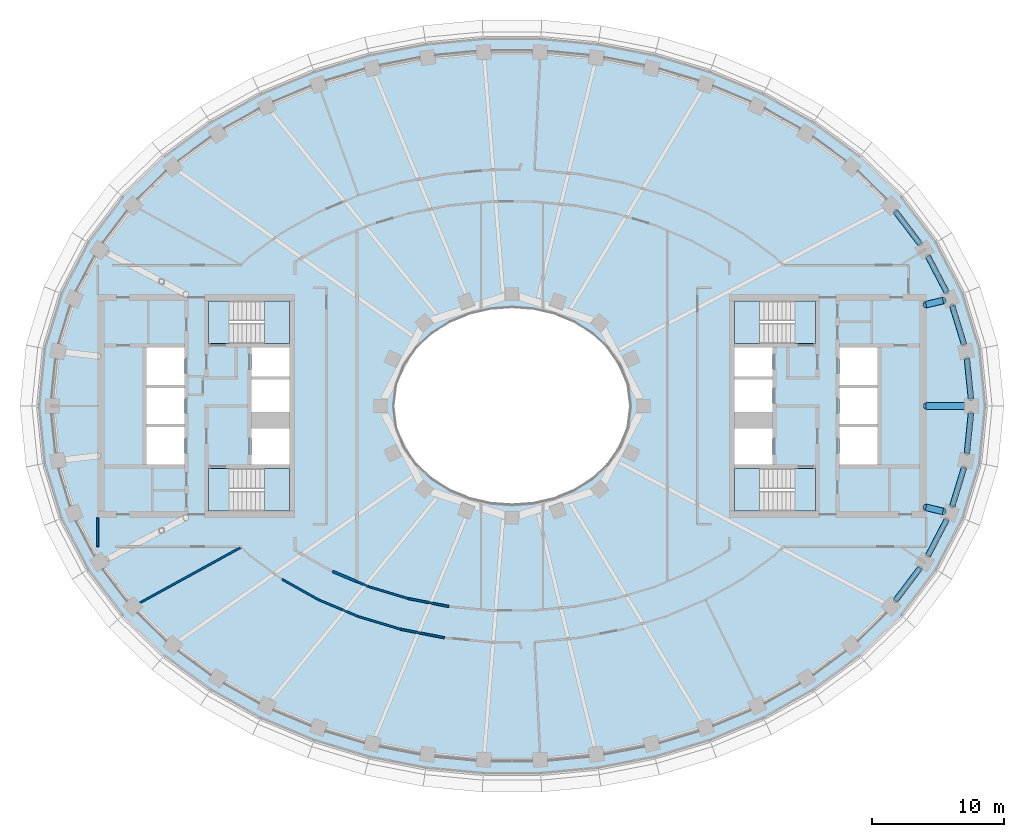
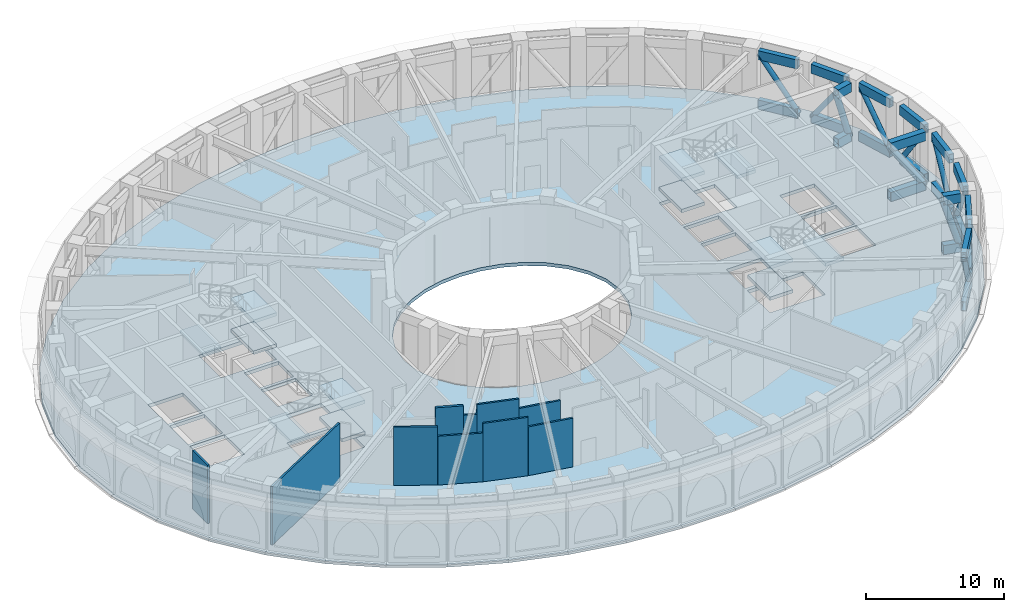
# One storey, part 5 of 25: 22 beams, 13 slabs, 11 members, 10 walls, 4 elements without a shape of their own.
"""IFC4 building model written with IfcOpenShell, lengths in metres."""

from ifc_helpers import new_model, si_unit, direction, frame, frame_2d, origin, origin_2d, place, context, subcontext, project, spatial, polyline, rectangle, hollow_rectangle, hollow_circle, outline, extrude, material, layer, layer_set, material_profile, profile_set, type_object, element, aggregate, save


model = new_model("IFC4")

# Units and contexts
model_context = context("Model", 3, precision=1e-05, world=origin(), true_north=direction((0.0, 1.0)))
body_context = subcontext(model_context, "Body", "Model", "MODEL_VIEW")
ifc_project = project(units=[si_unit("LENGTHUNIT", "METRE"), si_unit("AREAUNIT", "SQUARE_METRE"), si_unit("VOLUMEUNIT", "CUBIC_METRE"), si_unit("PLANEANGLEUNIT", "RADIAN"), si_unit("MASSUNIT", "GRAM", prefix="KILO")], contexts=[model_context])

# Site, building, storey
site_placement = place(None, origin())
site = spatial("IfcSite", under=ifc_project, at=site_placement, CompositionType="ELEMENT")
building_placement = place(site_placement, origin())
building = spatial("IfcBuilding", under=site, at=building_placement, Name="Noorbagh Ring Tower", CompositionType="ELEMENT")
storey_placement = place(building_placement, frame((0.0, 0.0, 198.0)))
storey = spatial("IfcBuildingStorey", under=building, at=storey_placement, Name="L46", CompositionType="ELEMENT", Elevation=198.0)

# Beams
ifc_material_1 = material(Name="Steel S460", Category="steel")
ifc_material_profile_1 = material_profile(ifc_material_1, hollow_rectangle(XDim=0.39990234375, YDim=0.800048828125, WallThickness=0.031982421875, at=origin_2d()), Name="BOX800x400x32")
ifc_profile_set_1 = profile_set([ifc_material_profile_1], Name="Steel S460")
beam_type_1 = type_object("IfcBeamType", Name="STR-BELT-TRUSS-CHORD-BOX800x400x32-S460", PredefinedType="BEAM", material=ifc_profile_set_1)
for number, where, z_axis, x_axis, name in (
    (1, (34.888916015625, 0.55517578125, 0.39990234375), (-0.100183960155, 0.994968931237, 0.0), (-0.994968931237, -0.100183960155, 0.0), "Belt truss chord"),
    (2, (34.888916015625, 0.55517578125, 4.75), (-0.100183960155, 0.994968931237, 0.0), (-0.994968931237, -0.100183960155, 0.0), "Belt truss chord"),
):
    element("IfcBeam", number, at=place(storey_placement, frame(where, z_axis=z_axis, x_axis=x_axis)), inside=storey, type_object=beam_type_1, Name=name, PredefinedType="BEAM", context=body_context, shape_type="SweptSolid", body=[
        extrude(hollow_rectangle(XDim=0.39990234375, YDim=0.800048828125, WallThickness=0.031982421875, at=origin_2d()), origin(), (0.0, 0.0, 1.0), 3.055908203125),
    ])
for number, where, z_axis, x_axis, name in (
    (3, (34.36376953125, 4.68408203125, 0.39990234375), (-0.2921659349, 0.956367641906, 0.0), (-0.956367641906, -0.2921659349, 0.0), "Belt truss chord"),
    (4, (34.36376953125, 4.68408203125, 4.75), (-0.2921659349, 0.956367641906, 0.0), (-0.956367641906, -0.2921659349, 0.0), "Belt truss chord"),
):
    element("IfcBeam", number, at=place(storey_placement, frame(where, z_axis=z_axis, x_axis=x_axis)), inside=storey, type_object=beam_type_1, Name=name, PredefinedType="BEAM", context=body_context, shape_type="SweptSolid", body=[
        extrude(hollow_rectangle(XDim=0.39990234375, YDim=0.800048828125, WallThickness=0.031982421875, at=origin_2d()), origin(), (0.0, 0.0, 1.0), 3.06591796875),
    ])
for number, where, z_axis, x_axis, name in (
    (5, (33.047607421875, 8.6435546875, 0.39990234375), (-0.462292608065, 0.886727435308, 0.0), (-0.886727435308, -0.462292608065, 0.0), "Belt truss chord"),
    (6, (33.047607421875, 8.6435546875, 4.75), (-0.462292608065, 0.886727435308, 0.0), (-0.886727435308, -0.462292608065, 0.0), "Belt truss chord"),
):
    element("IfcBeam", number, at=place(storey_placement, frame(where, z_axis=z_axis, x_axis=x_axis)), inside=storey, type_object=beam_type_1, Name=name, PredefinedType="BEAM", context=body_context, shape_type="SweptSolid", body=[
        extrude(hollow_rectangle(XDim=0.39990234375, YDim=0.800048828125, WallThickness=0.031982421875, at=origin_2d()), origin(), (0.0, 0.0, 1.0), 3.08251953125),
    ])
for number, where, z_axis, x_axis, name in (
    (7, (31.028564453125, 12.31494140625, 0.39990234375), (-0.604034981443, 0.796957803898, 0.0), (-0.796957803898, -0.604034981443, 0.0), "Belt truss chord"),
    (8, (31.028564453125, 12.31494140625, 4.75), (-0.604034981443, 0.796957803898, 0.0), (-0.796957803898, -0.604034981443, 0.0), "Belt truss chord"),
    (9, (29.155029296875, -14.786865234375, 0.39990234375), (0.604034981443, 0.796957803898, 0.0), (-0.796957803898, 0.604034981443, 0.0), "Belt truss chord"),
    (10, (29.155029296875, -14.786865234375, 4.75), (0.604034981443, 0.796957803898, 0.0), (-0.796957803898, 0.604034981443, 0.0), "Belt truss chord"),
):
    element("IfcBeam", number, at=place(storey_placement, frame(where, z_axis=z_axis, x_axis=x_axis)), inside=storey, type_object=beam_type_1, Name=name, PredefinedType="BEAM", context=body_context, shape_type="SweptSolid", body=[
        extrude(hollow_rectangle(XDim=0.39990234375, YDim=0.800048828125, WallThickness=0.031982421875, at=origin_2d()), origin(), (0.0, 0.0, 1.0), 3.101806640625),
    ])
for number, where, z_axis, x_axis, name in (
    (11, (31.62255859375, -11.376953125, 0.39990234375), (0.462292608065, 0.886727435308, 0.0), (-0.886727435308, 0.462292608065, 0.0), "Belt truss chord"),
    (12, (31.62255859375, -11.376953125, 4.75), (0.462292608065, 0.886727435308, 0.0), (-0.886727435308, 0.462292608065, 0.0), "Belt truss chord"),
):
    element("IfcBeam", number, at=place(storey_placement, frame(where, z_axis=z_axis, x_axis=x_axis)), inside=storey, type_object=beam_type_1, Name=name, PredefinedType="BEAM", context=body_context, shape_type="SweptSolid", body=[
        extrude(hollow_rectangle(XDim=0.39990234375, YDim=0.800048828125, WallThickness=0.031982421875, at=origin_2d()), origin(), (0.0, 0.0, 1.0), 3.08251953125),
    ])
for number, where, z_axis, x_axis, name in (
    (13, (33.468017578125, -7.6162109375, 0.39990234375), (0.2921659349, 0.956367641906, 0.0), (-0.956367641906, 0.2921659349, 0.0), "Belt truss chord"),
    (14, (33.468017578125, -7.6162109375, 4.75), (0.2921659349, 0.956367641906, 0.0), (-0.956367641906, 0.2921659349, 0.0), "Belt truss chord"),
):
    element("IfcBeam", number, at=place(storey_placement, frame(where, z_axis=z_axis, x_axis=x_axis)), inside=storey, type_object=beam_type_1, Name=name, PredefinedType="BEAM", context=body_context, shape_type="SweptSolid", body=[
        extrude(hollow_rectangle(XDim=0.39990234375, YDim=0.800048828125, WallThickness=0.031982421875, at=origin_2d()), origin(), (0.0, 0.0, 1.0), 3.06591796875),
    ])
for number, where, z_axis, x_axis, name in (
    (15, (34.582763671875, -3.595703125, 0.39990234375), (0.100183960155, 0.994968931237, 0.0), (-0.994968931237, 0.100183960155, 0.0), "Belt truss chord"),
    (16, (34.582763671875, -3.595703125, 4.75), (0.100183960155, 0.994968931237, 0.0), (-0.994968931237, 0.100183960155, 0.0), "Belt truss chord"),
):
    element("IfcBeam", number, at=place(storey_placement, frame(where, z_axis=z_axis, x_axis=x_axis)), inside=storey, type_object=beam_type_1, Name=name, PredefinedType="BEAM", context=body_context, shape_type="SweptSolid", body=[
        extrude(hollow_rectangle(XDim=0.39990234375, YDim=0.800048828125, WallThickness=0.031982421875, at=origin_2d()), origin(), (0.0, 0.0, 1.0), 3.055908203125),
    ])

# Members
ifc_material_2 = material(Name="Steel S355", Category="steel")
ifc_material_profile_2 = material_profile(ifc_material_2, hollow_circle(Radius=0.203125, WallThickness=0.01611328125, at=origin_2d()), Name="CHS406.4x16")
ifc_profile_set_2 = profile_set([ifc_material_profile_2], Name="Steel S355")
member_type_1 = type_object("IfcMemberType", Name="STR-BELT-TRUSS-DIAGONAL-CHS406.4x16", PredefinedType="BRACE", material=ifc_profile_set_2)
member_1_placement = place(storey_placement, frame((34.582763671875, 3.595703125, 0.39990234375), z_axis=(0.05758866659, -0.571937203919, 0.818273414119), x_axis=(0.994968931237, 0.100183960155, 0.0)))
element("IfcMember", 17, at=member_1_placement, inside=storey, type_object=member_type_1, Name="Belt truss diagonal", PredefinedType="BRACE", context=body_context, shape_type="SweptSolid", body=[
    extrude(hollow_circle(Radius=0.203125, WallThickness=0.01611328125, at=origin_2d()), origin(), (0.0, 0.0, 1.0), 5.316162109375),
])
member_2_placement = place(storey_placement, frame((34.36376953125, 4.68408203125, 0.39990234375), z_axis=(-0.168312884344, 0.550950597159, 0.817388654469), x_axis=(-0.956367641906, -0.2921659349, 0.0)))
element("IfcMember", 18, at=member_2_placement, inside=storey, type_object=member_type_1, Name="Belt truss diagonal", PredefinedType="BRACE", context=body_context, shape_type="SweptSolid", body=[
    extrude(hollow_circle(Radius=0.203125, WallThickness=0.01611328125, at=origin_2d()), origin(), (0.0, 0.0, 1.0), 5.322021484375),
])
member_3_placement = place(storey_placement, frame((31.62255859375, 11.376953125, 0.39990234375), z_axis=(0.267285298438, -0.51268223425, 0.815913902274), x_axis=(0.886727435308, 0.462292608065, 0.0)))
element("IfcMember", 19, at=member_3_placement, inside=storey, type_object=member_type_1, Name="Belt truss diagonal", PredefinedType="BRACE", context=body_context, shape_type="SweptSolid", body=[
    extrude(hollow_circle(Radius=0.203125, WallThickness=0.01611328125, at=origin_2d()), origin(), (0.0, 0.0, 1.0), 5.33154296875),
])
for number, where, z_axis, x_axis, name in (
    (20, (31.028564453125, 12.31494140625, 0.39990234375), (-0.350675366589, 0.462677624018, 0.81422122516), (-0.796957803898, -0.604034981443, 0.0), "Belt truss diagonal"),
    (21, (31.028564453125, -12.31494140625, 0.39990234375), (-0.350675366589, -0.462677624018, 0.81422122516), (0.796957803898, -0.604034981443, 0.0), "Belt truss diagonal"),
):
    element("IfcMember", number, at=place(storey_placement, frame(where, z_axis=z_axis, x_axis=x_axis)), inside=storey, type_object=member_type_1, Name=name, PredefinedType="BRACE", context=body_context, shape_type="SweptSolid", body=[
        extrude(hollow_circle(Radius=0.203125, WallThickness=0.01611328125, at=origin_2d()), origin(), (0.0, 0.0, 1.0), 5.342529296875),
    ])
member_4_placement = place(storey_placement, frame((31.62255859375, -11.376953125, 0.39990234375), z_axis=(0.267285298438, 0.51268223425, 0.815913902274), x_axis=(-0.886727435308, 0.462292608065, 0.0)))
element("IfcMember", 22, at=member_4_placement, inside=storey, type_object=member_type_1, Name="Belt truss diagonal", PredefinedType="BRACE", context=body_context, shape_type="SweptSolid", body=[
    extrude(hollow_circle(Radius=0.203125, WallThickness=0.01611328125, at=origin_2d()), origin(), (0.0, 0.0, 1.0), 5.33154296875),
])
member_5_placement = place(storey_placement, frame((34.36376953125, -4.68408203125, 0.39990234375), z_axis=(-0.168312884344, -0.550950597159, 0.817388654469), x_axis=(0.956367641906, -0.2921659349, 0.0)))
element("IfcMember", 23, at=member_5_placement, inside=storey, type_object=member_type_1, Name="Belt truss diagonal", PredefinedType="BRACE", context=body_context, shape_type="SweptSolid", body=[
    extrude(hollow_circle(Radius=0.203125, WallThickness=0.01611328125, at=origin_2d()), origin(), (0.0, 0.0, 1.0), 5.322021484375),
])
member_6_placement = place(storey_placement, frame((34.582763671875, -3.595703125, 0.39990234375), z_axis=(0.05758866659, 0.571937203919, 0.818273414119), x_axis=(-0.994968931237, 0.100183960155, 0.0)))
element("IfcMember", 24, at=member_6_placement, inside=storey, type_object=member_type_1, Name="Belt truss diagonal", PredefinedType="BRACE", context=body_context, shape_type="SweptSolid", body=[
    extrude(hollow_circle(Radius=0.203125, WallThickness=0.01611328125, at=origin_2d()), origin(), (0.0, 0.0, 1.0), 5.316162109375),
])

# Beams
ifc_material_3 = material(Name="Steel S460", Category="steel")
ifc_material_profile_3 = material_profile(ifc_material_3, hollow_rectangle(XDim=0.5, YDim=0.800048828125, WallThickness=0.0400390625, at=origin_2d()), Name="BOX800x500x40")
ifc_profile_set_3 = profile_set([ifc_material_profile_3], Name="Steel S460")
beam_type_2 = type_object("IfcBeamType", Name="STR-OUTRIGGER-TRUSS-CHORD-BOX800x500x40-S460", PredefinedType="BEAM", material=ifc_profile_set_3)
for number, where, z_axis, x_axis, name in (
    (25, (34.3896484375, 0.0, 0.39990234375), (-1.0, 0.0, 0.0), (0.0, -1.0, 0.0), "Outrigger truss chord"),
    (26, (34.3896484375, 0.0, 4.75), (-1.0, 0.0, 0.0), (0.0, -1.0, 0.0), "Outrigger truss chord"),
):
    element("IfcBeam", number, at=place(storey_placement, frame(where, z_axis=z_axis, x_axis=x_axis)), inside=storey, type_object=beam_type_2, Name=name, PredefinedType="BEAM", context=body_context, shape_type="SweptSolid", body=[
        extrude(hollow_rectangle(XDim=0.5, YDim=0.800048828125, WallThickness=0.0400390625, at=origin_2d()), origin(), (0.0, 0.0, 1.0), 2.90966796875),
    ])
for number, where, z_axis, x_axis, name in (
    (27, (32.759765625, 8.015869140625, 0.39990234375), (-0.971351477813, -0.237647441709, 0.0), (0.237647441709, -0.971351477813, 0.0), "Outrigger truss chord"),
    (28, (32.759765625, 8.015869140625, 4.75), (-0.971351477813, -0.237647441709, 0.0), (0.237647441709, -0.971351477813, 0.0), "Outrigger truss chord"),
    (29, (32.759765625, -8.015869140625, 0.39990234375), (-0.971351477813, 0.237647441709, 0.0), (-0.237647441709, -0.971351477813, 0.0), "Outrigger truss chord"),
    (30, (32.759765625, -8.015869140625, 4.75), (-0.971351477813, 0.237647441709, 0.0), (-0.237647441709, -0.971351477813, 0.0), "Outrigger truss chord"),
):
    element("IfcBeam", number, at=place(storey_placement, frame(where, z_axis=z_axis, x_axis=x_axis)), inside=storey, type_object=beam_type_2, Name=name, PredefinedType="BEAM", context=body_context, shape_type="SweptSolid", body=[
        extrude(hollow_rectangle(XDim=0.5, YDim=0.800048828125, WallThickness=0.0400390625, at=origin_2d()), origin(), (0.0, 0.0, 1.0), 1.317138671875),
    ])

# Members
ifc_material_4 = material(Name="Steel S355", Category="steel")
ifc_material_profile_4 = material_profile(ifc_material_4, hollow_circle(Radius=0.25390625, WallThickness=0.02490234375, at=origin_2d()), Name="CHS508x25")
ifc_profile_set_4 = profile_set([ifc_material_profile_4], Name="Steel S355")
member_type_2 = type_object("IfcMemberType", Name="STR-OUTRIGGER-TRUSS-DIAGONAL-CHS508x25", PredefinedType="BRACE", material=ifc_profile_set_4)
member_7_placement = place(storey_placement, frame((34.3896484375, 0.0, 0.39990234375), z_axis=(-0.555969854073, 0.0, 0.831202455099), x_axis=(0.0, -1.0, 0.0)))
element("IfcMember", 31, at=member_7_placement, inside=storey, type_object=member_type_2, Name="Outrigger truss diagonal", PredefinedType="BRACE", context=body_context, shape_type="SweptSolid", body=[
    extrude(hollow_circle(Radius=0.25390625, WallThickness=0.02490234375, at=origin_2d()), origin(), (0.0, 0.0, 1.0), 5.2333984375),
])
for number, where, z_axis, x_axis, name in (
    (32, (32.759765625, 8.015869140625, 0.39990234375), (-0.281467418407, -0.068862830229, 0.957096652898), (0.237647441709, -0.971351477813, 0.0), "Outrigger truss diagonal"),
    (33, (32.759765625, -8.015869140625, 0.39990234375), (-0.281467418407, 0.068862830229, 0.957096652898), (-0.237647441709, -0.971351477813, 0.0), "Outrigger truss diagonal"),
):
    element("IfcMember", number, at=place(storey_placement, frame(where, z_axis=z_axis, x_axis=x_axis)), inside=storey, type_object=member_type_2, Name=name, PredefinedType="BRACE", context=body_context, shape_type="SweptSolid", body=[
        extrude(hollow_circle(Radius=0.25390625, WallThickness=0.02490234375, at=origin_2d()), origin(), (0.0, 0.0, 1.0), 4.545166015625),
    ])

# Stair, slabs
ifc_material_5 = material(Name="Concrete C40/50", Category="concrete")
stair_type = type_object("IfcStairType", Name="CORE-STAIR", PredefinedType="HALF_TURN_STAIR", material=ifc_material_5)
stair_1_placement = place(storey_placement, origin())
stair_1 = element("IfcStair", 34, at=stair_1_placement, inside=storey, type_object=stair_type, Name="L46 Exit stair ST1", PredefinedType="HALF_TURN_STAIR")
ifc_material_6 = material(Name="Concrete C40/50", Category="concrete")
ifc_layer_1 = layer(ifc_material_6, 0.300048828125)
ifc_layer_set_1 = layer_set([ifc_layer_1], Name="Concrete C40/50")
slab_type_1 = type_object("IfcSlabType", Name="CORE-STAIR-LANDING", PredefinedType="LANDING", material=ifc_layer_set_1)
slab_1_placement = place(storey_placement, frame((0.0, 0.0, 1.074951171875)))
slab_1 = element("IfcSlab", 35, at=slab_1_placement, type_object=slab_type_1, Name="ST1 landing 1", PredefinedType="LANDING", context=body_context, shape_type="SweptSolid", body=[
    extrude(outline(polyline([(-18.81005859375, 4.75), (-16.89990234375, 4.75), (-16.89990234375, 8.0), (-18.81005859375, 8.0), (-18.81005859375, 4.75)])), origin(), (0.0, 0.0, 1.0), 0.300048828125),
])
slab_2_placement = place(storey_placement, frame((0.0, 0.0, 2.449951171875)))
slab_2 = element("IfcSlab", 36, at=slab_2_placement, type_object=slab_type_1, Name="ST1 landing 2", PredefinedType="LANDING", context=body_context, shape_type="SweptSolid", body=[
    extrude(outline(polyline([(-23.080078125, 4.75), (-21.530029296875, 4.75), (-21.530029296875, 8.0), (-23.080078125, 8.0), (-23.080078125, 4.75)])), origin(), (0.0, 0.0, 1.0), 0.300048828125),
])
slab_3_placement = place(storey_placement, frame((0.0, 0.0, 3.824951171875)))
slab_3 = element("IfcSlab", 37, at=slab_3_placement, type_object=slab_type_1, Name="ST1 landing 3", PredefinedType="LANDING", context=body_context, shape_type="SweptSolid", body=[
    extrude(outline(polyline([(-18.81005859375, 4.75), (-16.89990234375, 4.75), (-16.89990234375, 8.0), (-18.81005859375, 8.0), (-18.81005859375, 4.75)])), origin(), (0.0, 0.0, 1.0), 0.300048828125),
])
aggregate(stair_1, [slab_1, slab_2, slab_3])

stair_2_placement = place(storey_placement, origin())
stair_2 = element("IfcStair", 38, at=stair_2_placement, inside=storey, type_object=stair_type, Name="L46 Exit stair ST2", PredefinedType="HALF_TURN_STAIR")
slab_4_placement = place(storey_placement, frame((0.0, 0.0, 1.074951171875)))
slab_4 = element("IfcSlab", 39, at=slab_4_placement, type_object=slab_type_1, Name="ST2 landing 1", PredefinedType="LANDING", context=body_context, shape_type="SweptSolid", body=[
    extrude(outline(polyline([(-18.81005859375, -8.0), (-16.89990234375, -8.0), (-16.89990234375, -4.75), (-18.81005859375, -4.75), (-18.81005859375, -8.0)])), origin(), (0.0, 0.0, 1.0), 0.300048828125),
])
slab_5_placement = place(storey_placement, frame((0.0, 0.0, 2.449951171875)))
slab_5 = element("IfcSlab", 40, at=slab_5_placement, type_object=slab_type_1, Name="ST2 landing 2", PredefinedType="LANDING", context=body_context, shape_type="SweptSolid", body=[
    extrude(outline(polyline([(-23.080078125, -8.0), (-21.530029296875, -8.0), (-21.530029296875, -4.75), (-23.080078125, -4.75), (-23.080078125, -8.0)])), origin(), (0.0, 0.0, 1.0), 0.300048828125),
])
slab_6_placement = place(storey_placement, frame((0.0, 0.0, 3.824951171875)))
slab_6 = element("IfcSlab", 41, at=slab_6_placement, type_object=slab_type_1, Name="ST2 landing 3", PredefinedType="LANDING", context=body_context, shape_type="SweptSolid", body=[
    extrude(outline(polyline([(-18.81005859375, -8.0), (-16.89990234375, -8.0), (-16.89990234375, -4.75), (-18.81005859375, -4.75), (-18.81005859375, -8.0)])), origin(), (0.0, 0.0, 1.0), 0.300048828125),
])
aggregate(stair_2, [slab_4, slab_5, slab_6])

stair_3_placement = place(storey_placement, origin())
stair_3 = element("IfcStair", 42, at=stair_3_placement, inside=storey, type_object=stair_type, Name="L46 Exit stair ST3", PredefinedType="HALF_TURN_STAIR")
slab_7_placement = place(storey_placement, frame((0.0, 0.0, 1.074951171875)))
slab_7 = element("IfcSlab", 43, at=slab_7_placement, type_object=slab_type_1, Name="ST3 landing 1", PredefinedType="LANDING", context=body_context, shape_type="SweptSolid", body=[
    extrude(outline(polyline([(18.81005859375, 8.0), (16.89990234375, 8.0), (16.89990234375, 4.75), (18.81005859375, 4.75), (18.81005859375, 8.0)])), origin(), (0.0, 0.0, 1.0), 0.300048828125),
])
slab_8_placement = place(storey_placement, frame((0.0, 0.0, 2.449951171875)))
slab_8 = element("IfcSlab", 44, at=slab_8_placement, type_object=slab_type_1, Name="ST3 landing 2", PredefinedType="LANDING", context=body_context, shape_type="SweptSolid", body=[
    extrude(outline(polyline([(23.080078125, 8.0), (21.530029296875, 8.0), (21.530029296875, 4.75), (23.080078125, 4.75), (23.080078125, 8.0)])), origin(), (0.0, 0.0, 1.0), 0.300048828125),
])
slab_9_placement = place(storey_placement, frame((0.0, 0.0, 3.824951171875)))
slab_9 = element("IfcSlab", 45, at=slab_9_placement, type_object=slab_type_1, Name="ST3 landing 3", PredefinedType="LANDING", context=body_context, shape_type="SweptSolid", body=[
    extrude(outline(polyline([(18.81005859375, 8.0), (16.89990234375, 8.0), (16.89990234375, 4.75), (18.81005859375, 4.75), (18.81005859375, 8.0)])), origin(), (0.0, 0.0, 1.0), 0.300048828125),
])
aggregate(stair_3, [slab_7, slab_8, slab_9])

stair_4_placement = place(storey_placement, origin())
stair_4 = element("IfcStair", 46, at=stair_4_placement, inside=storey, type_object=stair_type, Name="L46 Exit stair ST4", PredefinedType="HALF_TURN_STAIR")
slab_10_placement = place(storey_placement, frame((0.0, 0.0, 1.074951171875)))
slab_10 = element("IfcSlab", 47, at=slab_10_placement, type_object=slab_type_1, Name="ST4 landing 1", PredefinedType="LANDING", context=body_context, shape_type="SweptSolid", body=[
    extrude(outline(polyline([(18.81005859375, -4.75), (16.89990234375, -4.75), (16.89990234375, -8.0), (18.81005859375, -8.0), (18.81005859375, -4.75)])), origin(), (0.0, 0.0, 1.0), 0.300048828125),
])
slab_11_placement = place(storey_placement, frame((0.0, 0.0, 2.449951171875)))
slab_11 = element("IfcSlab", 48, at=slab_11_placement, type_object=slab_type_1, Name="ST4 landing 2", PredefinedType="LANDING", context=body_context, shape_type="SweptSolid", body=[
    extrude(outline(polyline([(23.080078125, -4.75), (21.530029296875, -4.75), (21.530029296875, -8.0), (23.080078125, -8.0), (23.080078125, -4.75)])), origin(), (0.0, 0.0, 1.0), 0.300048828125),
])
slab_12_placement = place(storey_placement, frame((0.0, 0.0, 3.824951171875)))
slab_12 = element("IfcSlab", 49, at=slab_12_placement, type_object=slab_type_1, Name="ST4 landing 3", PredefinedType="LANDING", context=body_context, shape_type="SweptSolid", body=[
    extrude(outline(polyline([(18.81005859375, -4.75), (16.89990234375, -4.75), (16.89990234375, -8.0), (18.81005859375, -8.0), (18.81005859375, -4.75)])), origin(), (0.0, 0.0, 1.0), 0.300048828125),
])
aggregate(stair_4, [slab_10, slab_11, slab_12])

# Slab
ifc_material_7 = material(Name="Concrete C40/50", Category="concrete")
ifc_layer_2 = layer(ifc_material_7, 0.300048828125)
ifc_layer_set_2 = layer_set([ifc_layer_2], Name="Concrete C40/50")
slab_type_2 = type_object("IfcSlabType", Name="STR-FLOOR-DECK-300", PredefinedType="FLOOR", material=ifc_layer_set_2)
slab_13_placement = place(storey_placement, frame((0.0, 0.0, -0.300048828125)))
element("IfcSlab", 50, at=slab_13_placement, inside=storey, type_object=slab_type_2, Name="L46/slab/1", PredefinedType="FLOOR", context=body_context, shape_type="SweptSolid", body=[
    extrude(outline(polyline([(36.0, 0.0), (35.56103515625, 4.358642578125), (34.281005859375, 8.548828125), (32.255126953125, 12.434814453125), (29.607666015625, 15.92822265625), (26.463134765625, 18.983154296875), (22.9326171875, 21.583740234375), (19.108154296875, 23.730224609375), (15.0654296875, 25.430419921875), (10.865234375, 26.6943359375), (6.5595703125, 27.53125), (2.193115234375, 27.947998046875), (-2.193115234375, 27.947998046875), (-6.5595703125, 27.53125), (-10.865234375, 26.6943359375), (-15.0654296875, 25.430419921875), (-19.108154296875, 23.730224609375), (-22.9326171875, 21.583740234375), (-26.463134765625, 18.983154296875), (-29.607666015625, 15.92822265625), (-32.255126953125, 12.434814453125), (-34.281005859375, 8.548828125), (-35.56103515625, 4.358642578125), (-36.0, 0.0), (-35.56103515625, -4.358642578125), (-34.281005859375, -8.548828125), (-32.255126953125, -12.434814453125), (-29.607666015625, -15.92822265625), (-26.463134765625, -18.983154296875), (-22.9326171875, -21.583740234375), (-19.108154296875, -23.730224609375), (-15.0654296875, -25.430419921875), (-10.865234375, -26.6943359375), (-6.5595703125, -27.53125), (-2.193115234375, -27.947998046875), (2.193115234375, -27.947998046875), (6.5595703125, -27.53125), (10.865234375, -26.6943359375), (15.0654296875, -25.430419921875), (19.108154296875, -23.730224609375), (22.9326171875, -21.583740234375), (26.463134765625, -18.983154296875), (29.607666015625, -15.92822265625), (32.255126953125, -12.434814453125), (34.281005859375, -8.548828125), (35.56103515625, -4.358642578125), (36.0, 0.0)]), holes=[polyline([(24.89990234375, 4.449951171875), (27.800048828125, 4.449951171875), (27.800048828125, 1.60009765625), (24.89990234375, 1.60009765625), (24.89990234375, 4.449951171875)]), polyline([(24.89990234375, 1.35009765625), (27.800048828125, 1.35009765625), (27.800048828125, -1.35009765625), (24.89990234375, -1.35009765625), (24.89990234375, 1.35009765625)]), polyline([(24.89990234375, -1.60009765625), (27.800048828125, -1.60009765625), (27.800048828125, -4.449951171875), (24.89990234375, -4.449951171875), (24.89990234375, -1.60009765625)]), polyline([(21.529541015625, -8.0), (16.89990234375, -8.0), (16.89990234375, -4.75), (21.529541015625, -4.75), (21.529541015625, -8.0)]), polyline([(16.89990234375, 4.75), (16.89990234375, 8.0), (21.529541015625, 8.0), (21.529541015625, 4.75), (16.89990234375, 4.75)]), polyline([(19.800048828125, 4.449951171875), (19.800048828125, 2.25), (16.89990234375, 2.25), (16.89990234375, 4.449951171875), (19.800048828125, 4.449951171875)]), polyline([(16.89990234375, 2.0), (19.800048828125, 2.0), (19.800048828125, -0.449951171875), (16.89990234375, -0.449951171875), (16.89990234375, 2.0)]), polyline([(16.89990234375, -1.699951171875), (19.800048828125, -1.699951171875), (19.800048828125, -4.449951171875), (16.89990234375, -4.449951171875), (16.89990234375, -1.699951171875)]), polyline([(4.697509765625, -6.3974609375), (3.196533203125, -7.010986328125), (1.6171875, -7.3779296875), (0.0, -7.5), (-1.6171875, -7.3779296875), (-3.196533203125, -7.010986328125), (-4.697509765625, -6.3974609375), (-6.071044921875, -5.53662109375), (-7.2587890625, -4.43408203125), (-8.1904296875, -3.10888671875), (-8.79150390625, -1.605224609375), (-9.0, 0.0), (-8.79150390625, 1.605224609375), (-8.1904296875, 3.10888671875), (-7.2587890625, 4.43408203125), (-6.071044921875, 5.53662109375), (-4.697509765625, 6.3974609375), (-3.196533203125, 7.010986328125), (-1.6171875, 7.3779296875), (0.0, 7.5), (1.6171875, 7.3779296875), (3.196533203125, 7.010986328125), (4.697509765625, 6.3974609375), (6.071044921875, 5.53662109375), (7.2587890625, 4.43408203125), (8.1904296875, 3.10888671875), (8.79150390625, 1.605224609375), (9.0, 0.0), (8.79150390625, -1.605224609375), (8.1904296875, -3.10888671875), (7.2587890625, -4.43408203125), (6.071044921875, -5.53662109375), (4.697509765625, -6.3974609375)]), polyline([(-16.89990234375, 2.25), (-19.800048828125, 2.25), (-19.800048828125, 4.449951171875), (-16.89990234375, 4.449951171875), (-16.89990234375, 2.25)]), polyline([(-16.89990234375, -0.449951171875), (-19.800048828125, -0.449951171875), (-19.800048828125, 2.0), (-16.89990234375, 2.0), (-16.89990234375, -0.449951171875)]), polyline([(-16.89990234375, -4.449951171875), (-19.800048828125, -4.449951171875), (-19.800048828125, -1.699951171875), (-16.89990234375, -1.699951171875), (-16.89990234375, -4.449951171875)]), polyline([(-21.529541015625, 8.0), (-16.89990234375, 8.0), (-16.89990234375, 4.75), (-21.529541015625, 4.75), (-21.529541015625, 8.0)]), polyline([(-21.529541015625, -4.75), (-16.89990234375, -4.75), (-16.89990234375, -8.0), (-21.529541015625, -8.0), (-21.529541015625, -4.75)]), polyline([(-24.89990234375, -4.449951171875), (-27.800048828125, -4.449951171875), (-27.800048828125, -1.60009765625), (-24.89990234375, -1.60009765625), (-24.89990234375, -4.449951171875)]), polyline([(-24.89990234375, 1.60009765625), (-27.800048828125, 1.60009765625), (-27.800048828125, 4.449951171875), (-24.89990234375, 4.449951171875), (-24.89990234375, 1.60009765625)]), polyline([(-24.89990234375, -1.35009765625), (-27.800048828125, -1.35009765625), (-27.800048828125, 1.35009765625), (-24.89990234375, 1.35009765625), (-24.89990234375, -1.35009765625)])]), origin(), (0.0, 0.0, 1.0), 0.300048828125),
])

# Walls
ifc_material_8 = material(Name="Gypsum board on steel studs", Category="steel")
ifc_layer_3 = layer(ifc_material_8, 0.14990234375)
ifc_layer_set_3 = layer_set([ifc_layer_3], Name="Gypsum board on steel studs")
wall_type_1 = type_object("IfcWallType", Name="COMPARTMENT PARTITION 150 EI 60", PredefinedType="PARTITIONING", material=ifc_layer_set_3)
wall_1_placement = place(storey_placement, frame((-31.5, -10.699951171875, 0.0), z_axis=(0.0, 0.0, 1.0), x_axis=(0.0, 1.0, 0.0)))
element("IfcWall", 51, at=wall_1_placement, inside=storey, type_object=wall_type_1, Name="L46/wall/P02", PredefinedType="PARTITIONING", context=body_context, shape_type="SweptSolid", body=[
    extrude(rectangle(XDim=2.199951171875, YDim=0.14990234375, at=frame_2d((1.10009765625, 0.0))), origin(), (0.0, 0.0, 1.0), 5.14990234375),
])
wall_2_placement = place(storey_placement, frame((-28.89306640625, -15.297119140625, 0.0), z_axis=(0.0, 0.0, 1.0), x_axis=(0.876381760949, 0.481617077227, 0.0)))
element("IfcWall", 52, at=wall_2_placement, inside=storey, type_object=wall_type_1, Name="L46/wall/P06", PredefinedType="PARTITIONING", context=body_context, shape_type="SweptSolid", body=[
    extrude(rectangle(XDim=9.383056640625, YDim=0.14990234375, at=frame_2d((4.69140625, 0.0))), origin(), (0.0, 0.0, 1.0), 5.14990234375),
])
wall_3_placement = place(storey_placement, frame((-17.4990234375, -13.166015625, 0.0), z_axis=(0.0, 0.0, 1.0), x_axis=(0.872039782413, -0.489434998635, 0.0)))
element("IfcWall", 53, at=wall_3_placement, inside=storey, type_object=wall_type_1, Name="L46/wall/P12", PredefinedType="PARTITIONING", context=body_context, shape_type="SweptSolid", body=[
    extrude(rectangle(XDim=3.199462890625, YDim=0.14990234375, at=frame_2d((1.599609375, 0.0))), origin(), (0.0, 0.0, 1.0), 5.14990234375),
])
wall_4_placement = place(storey_placement, frame((-14.708984375, -14.73193359375, 0.0), z_axis=(0.0, 0.0, 1.0), x_axis=(0.921795970681, -0.387675364753, 0.0)))
element("IfcWall", 54, at=wall_4_placement, inside=storey, type_object=wall_type_1, Name="L46/wall/P23", PredefinedType="PARTITIONING", context=body_context, shape_type="SweptSolid", body=[
    extrude(rectangle(XDim=3.289306640625, YDim=0.14990234375, at=frame_2d((1.64453125, 0.0))), origin(), (0.0, 0.0, 1.0), 4.300048828125),
])
wall_5_placement = place(storey_placement, frame((-11.785888671875, -13.35693359375, 0.0), z_axis=(0.0, 0.0, 1.0), x_axis=(0.921626186184, -0.388078823102, 0.0)))
element("IfcWall", 55, at=wall_5_placement, inside=storey, type_object=wall_type_1, Name="L46/wall/P28", PredefinedType="PARTITIONING", context=body_context, shape_type="SweptSolid", body=[
    extrude(rectangle(XDim=1.000244140625, YDim=0.14990234375, at=frame_2d((0.5, 0.0))), origin(), (0.0, 0.0, 1.0), 4.300048828125),
])
wall_6_placement = place(storey_placement, frame((-11.677001953125, -16.007080078125, 0.0), z_axis=(0.0, 0.0, 1.0), x_axis=(0.957565546192, -0.28821558727, 0.0)))
element("IfcWall", 56, at=wall_6_placement, inside=storey, type_object=wall_type_1, Name="L46/wall/P31", PredefinedType="PARTITIONING", context=body_context, shape_type="SweptSolid", body=[
    extrude(rectangle(XDim=3.355224609375, YDim=0.14990234375, at=frame_2d((1.677734375, 0.0))), origin(), (0.0, 0.0, 1.0), 5.14990234375),
])
wall_7_placement = place(storey_placement, frame((-10.864013671875, -13.7451171875, 0.0), z_axis=(0.0, 0.0, 1.0), x_axis=(0.957544770641, -0.28828460281, 0.0)))
element("IfcWall", 57, at=wall_7_placement, inside=storey, type_object=wall_type_1, Name="L46/wall/P33", PredefinedType="PARTITIONING", context=body_context, shape_type="SweptSolid", body=[
    extrude(rectangle(XDim=3.10791015625, YDim=0.14990234375, at=frame_2d((1.553955078125, 0.0))), origin(), (0.0, 0.0, 1.0), 5.14990234375),
])
wall_8_placement = place(storey_placement, frame((-8.464111328125, -16.97412109375, 0.0), z_axis=(0.0, 0.0, 1.0), x_axis=(0.981613520879, -0.190879269771, 0.0)))
element("IfcWall", 58, at=wall_8_placement, inside=storey, type_object=wall_type_1, Name="L46/wall/P35", PredefinedType="PARTITIONING", context=body_context, shape_type="SweptSolid", body=[
    extrude(rectangle(XDim=3.399658203125, YDim=0.14990234375, at=frame_2d((1.69970703125, 0.0))), origin(), (0.0, 0.0, 1.0), 4.300048828125),
])
wall_9_placement = place(storey_placement, frame((-7.887939453125, -14.64111328125, 0.0), z_axis=(0.0, 0.0, 1.0), x_axis=(0.981672390077, -0.190576280162, 0.0)))
element("IfcWall", 59, at=wall_9_placement, inside=storey, type_object=wall_type_1, Name="L46/wall/P37", PredefinedType="PARTITIONING", context=body_context, shape_type="SweptSolid", body=[
    extrude(rectangle(XDim=3.162841796875, YDim=0.14990234375, at=frame_2d((1.58154296875, 0.0))), origin(), (0.0, 0.0, 1.0), 4.300048828125),
])
ifc_material_9 = material(Name="Gypsum board on steel studs", Category="steel")
ifc_layer_4 = layer(ifc_material_9, 0.199951171875)
ifc_layer_set_4 = layer_set([ifc_layer_4], Name="Gypsum board on steel studs")
wall_type_2 = type_object("IfcWallType", Name="SHAFT PARTITION 200 EI 120", PredefinedType="PARTITIONING", material=ifc_layer_set_4)
wall_10_placement = place(storey_placement, frame((-13.653076171875, -12.572021484375, 0.0), z_axis=(0.0, 0.0, 1.0), x_axis=(0.921859843246, -0.387523456595, 0.0)))
element("IfcWall", 60, at=wall_10_placement, inside=storey, type_object=wall_type_2, Name="L46/wall/P26", PredefinedType="PARTITIONING", context=body_context, shape_type="SweptSolid", body=[
    extrude(rectangle(XDim=2.025390625, YDim=0.199951171875, at=frame_2d((1.0126953125, 0.0))), origin(), (0.0, 0.0, 1.0), 5.14990234375),
])

save(model, "model.ifc")
